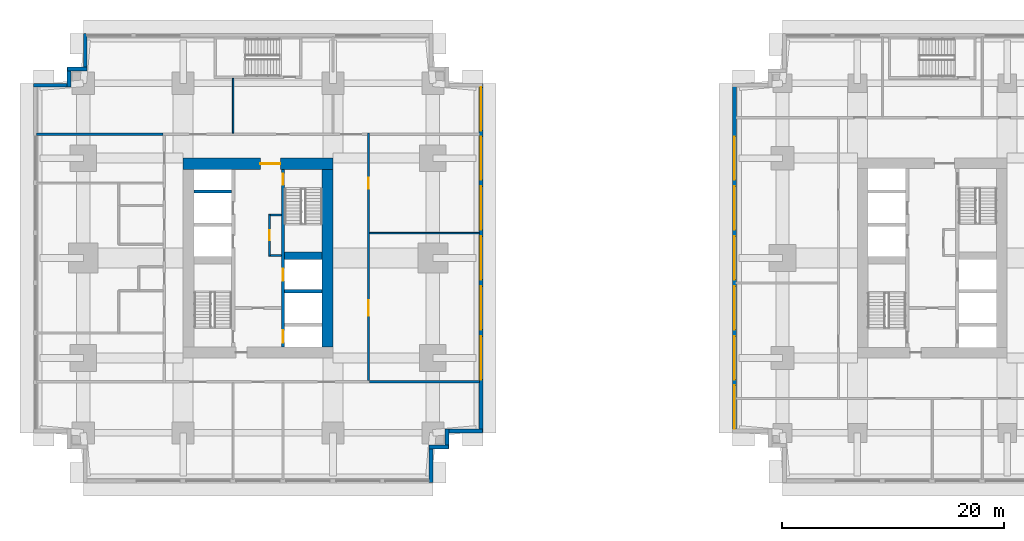
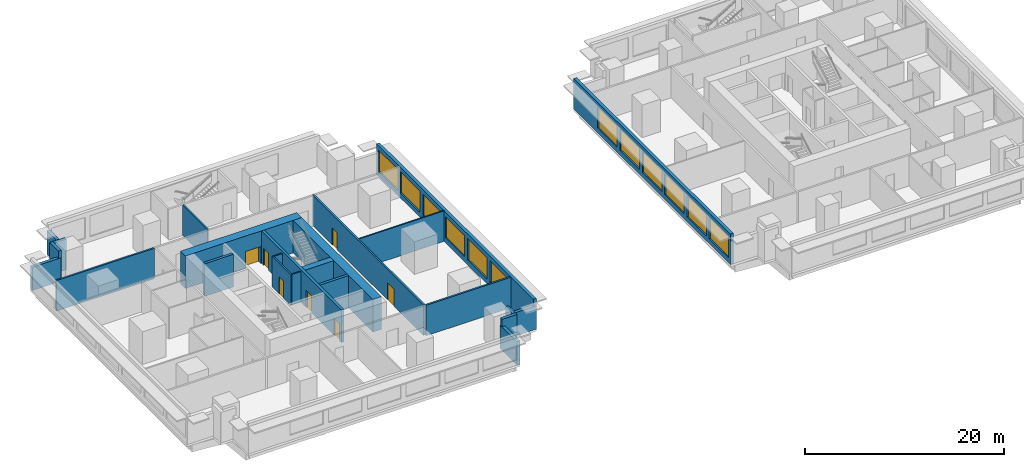
# One storey, part 4 of 11: 24 walls, 12 windows, 7 doors, 19 openings.
"""IFC4 building model written with IfcOpenShell, lengths in metres."""

import ifcopenshell
import ifcopenshell.guid

model = None  # the IFC model being written
_history = None  # IfcOwnerHistory: only IFC2X3 demands one
_inside = {}  # id of a spatial element -> (the spatial element, [elements in it])
_under = {}  # id of a project, library or spatial element -> (it, [spatial elements below it])
_declared = {}  # id of a project -> (the project, [libraries it declares])
_typed = {}  # id of a type object -> (the type object, [elements of that type])
_made_of = {}  # id of a material, layer set ... -> (it, [elements and type objects made of it])


def new_model(schema):
    """Start an empty IFC model of exactly this schema.

    Asked for "IFC4X3", IfcOpenShell would pick the latest addendum, in which some entities
    have other attributes; the version numbers below select the first issue.
    IFC2X3 requires an IfcOwnerHistory on every rooted entity: one is made here for all.
    """
    global model, _history
    if schema == "IFC4X3":
        model = ifcopenshell.file(schema_version=(4, 3, 0, 0))
    else:
        model = ifcopenshell.file(schema=schema)
    _inside.clear()
    _under.clear()
    _declared.clear()
    _typed.clear()
    _made_of.clear()
    _history = None
    if model.schema == "IFC2X3":
        org = make("IfcOrganization", Name="unknown")
        user = make(
            "IfcPersonAndOrganization",
            ThePerson=make("IfcPerson", FamilyName="unknown"),
            TheOrganization=org,
        )
        app = make(
            "IfcApplication",
            ApplicationDeveloper=org,
            Version="unknown",
            ApplicationFullName="unknown",
            ApplicationIdentifier="unknown",
        )
        _history = make(
            "IfcOwnerHistory",
            OwningUser=user,
            OwningApplication=app,
            ChangeAction="ADDED",
            CreationDate=0,
        )
    return model


def make(cls, **values):
    """One entity of the class cls with the attributes given. An attribute that is None is left unset."""
    return model.create_entity(
        cls, **{name: value for name, value in values.items() if value is not None}
    )


def rooted(cls, **values):
    """An entity with a GlobalId (a new one), such as an element, a storey or a relation."""
    return make(cls, GlobalId=ifcopenshell.guid.new(), OwnerHistory=_history, **values)


def si_unit(unit_type, name, prefix=None):
    """IfcSIUnit, for example si_unit("LENGTHUNIT", "METRE", prefix="MILLI")."""
    return make("IfcSIUnit", UnitType=unit_type, Prefix=prefix, Name=name)


def assignment(units):
    """IfcUnitAssignment: the units of a project."""
    return None if units is None else make("IfcUnitAssignment", Units=units)


def point(xyz):
    """IfcCartesianPoint."""
    return None if xyz is None else make("IfcCartesianPoint", Coordinates=xyz)


def direction(xyz):
    """IfcDirection."""
    return None if xyz is None else make("IfcDirection", DirectionRatios=xyz)


def frame(location, z_axis=None, x_axis=None):
    """IfcAxis2Placement3D, a coordinate frame: its origin and axes. An axis left out is left unset."""
    return make(
        "IfcAxis2Placement3D",
        Location=point(location),
        Axis=direction(z_axis),
        RefDirection=direction(x_axis),
    )


def frame_2d(location, x_axis=None):
    """IfcAxis2Placement2D, a coordinate frame in the plane: its origin and x axis."""
    return make(
        "IfcAxis2Placement2D", Location=point(location), RefDirection=direction(x_axis)
    )


def origin():
    """The frame at (0, 0, 0) with its axes left unset."""
    return frame((0.0, 0.0, 0.0))


def place(relative_to, where):
    """IfcLocalPlacement: puts the frame where relative to a parent placement (None: the world)."""
    return make(
        "IfcLocalPlacement", PlacementRelTo=relative_to, RelativePlacement=where
    )


def context(
    kind, dimensions, precision=None, world=None, true_north=None, identifier=None
):
    """IfcGeometricRepresentationContext, for example the 3D "Model" context."""
    return make(
        "IfcGeometricRepresentationContext",
        ContextIdentifier=identifier,
        ContextType=kind,
        CoordinateSpaceDimension=dimensions,
        Precision=precision,
        WorldCoordinateSystem=world,
        TrueNorth=true_north,
    )


def subcontext(parent, identifier, kind, view, scale=None):
    """IfcGeometricRepresentationSubContext, for example "Body" below "Model"."""
    return make(
        "IfcGeometricRepresentationSubContext",
        ContextIdentifier=identifier,
        ContextType=kind,
        ParentContext=parent,
        TargetScale=scale,
        TargetView=view,
    )


def project(units=None, contexts=None):
    """IfcProject with its units and contexts."""
    return rooted(
        "IfcProject",
        Name="project",
        RepresentationContexts=contexts,
        UnitsInContext=assignment(units),
    )


def spatial(cls, under=None, at=None, **own):
    """A site, building, storey or space (cls), placed at a placement, below another one or the project."""
    s = rooted(cls, ObjectPlacement=at, **own)
    if under is not None:
        _under.setdefault(under.id(), (under, []))[1].append(s)
    return s


def profile(cls, at=None, kind="AREA", **sizes):
    """A parametric profile (cls). Its sizes go by their IFC names, for example OverallWidth=200.0."""
    return make(cls, ProfileType=kind, Position=at, **sizes)


def rectangle(**sizes):
    """IfcRectangleProfileDef."""
    return profile("IfcRectangleProfileDef", **sizes)


def extrude(swept, where, along, depth):
    """IfcExtrudedAreaSolid: the profile swept, set in the frame where, extruded along a direction by depth."""
    return make(
        "IfcExtrudedAreaSolid",
        SweptArea=swept,
        Position=where,
        ExtrudedDirection=direction(along),
        Depth=depth,
    )


def shape(context_of_items, identifier, shape_type, items):
    """IfcShapeRepresentation: the items that make up one representation, for example the "Body"."""
    return make(
        "IfcShapeRepresentation",
        ContextOfItems=context_of_items,
        RepresentationIdentifier=identifier,
        RepresentationType=shape_type,
        Items=items,
    )


def material(Name=None, Category=None):
    """IfcMaterial."""
    return make("IfcMaterial", Name=Name, Category=Category)


def layer(
    of_material, thickness, ventilated=None, Name=None, Category=None, Priority=None
):
    """IfcMaterialLayer: one layer of a wall or slab, of a material (None: an air gap)."""
    return make(
        "IfcMaterialLayer",
        Material=of_material,
        LayerThickness=thickness,
        IsVentilated=ventilated,
        Name=Name,
        Category=Category,
        Priority=Priority,
    )


def layer_set(layers, Name=None):
    """IfcMaterialLayerSet."""
    return make("IfcMaterialLayerSet", MaterialLayers=layers, LayerSetName=Name)


def made_of(thing, what):
    """Note that an element or type object is made of a material, layer set ...; save() writes the relation."""
    if what is not None:
        _made_of.setdefault(what.id(), (what, []))[1].append(thing)
    return thing


def type_object(cls, material=None, **own):
    """A type object (cls), such as IfcWallType, which elements share."""
    return made_of(rooted(cls, **own), material)


def element(
    cls,
    number,
    at=None,
    inside=None,
    cuts=None,
    type_object=None,
    material=None,
    context=None,
    identifier="Body",
    shape_type=None,
    held_by="IfcProductDefinitionShape",
    body=None,
    shapes=None,
    **own,
):
    """One element of the class cls, such as IfcWall. Its Tag is "e" and its number.

    at: its placement. inside: the storey or other place that contains it. cuts: it is an
    opening in that element (IfcRelVoidsElement). A single representation is given by context,
    identifier, shape_type and body (its items); several are given by shapes. held_by: the class
    of the entity that holds the representations. save() writes the other relations.
    """
    e = rooted(cls, Tag="e%d" % number, ObjectPlacement=at, **own)
    if body is not None:
        shapes = [shape(context, identifier, shape_type, body)]
    if shapes is not None:
        e.Representation = make(held_by, Representations=shapes)
    if inside is not None:
        _inside.setdefault(inside.id(), (inside, []))[1].append(e)
    if cuts is not None:
        rooted(
            "IfcRelVoidsElement", RelatingBuildingElement=cuts, RelatedOpeningElement=e
        )
    if type_object is not None:
        _typed.setdefault(type_object.id(), (type_object, []))[1].append(e)
    return made_of(e, material)


def fill(opening, filler):
    """IfcRelFillsElement: the door or window that sits in an opening."""
    return rooted(
        "IfcRelFillsElement",
        RelatingOpeningElement=opening,
        RelatedBuildingElement=filler,
    )


def aggregate(whole, parts):
    """IfcRelAggregates: a whole, such as a stair, and the parts it consists of."""
    return rooted("IfcRelAggregates", RelatingObject=whole, RelatedObjects=parts)


def save(model, path):
    """Write the relations noted so far, then the file.

    IfcRelAggregates (storeys below a building ...), IfcRelContainedInSpatialStructure (elements
    in a storey), IfcRelDefinesByType, IfcRelAssociatesMaterial and IfcRelDeclares: one each for
    every whole, place, type object, material and project.
    """
    for whole, parts in _under.values():
        aggregate(whole, parts)
    for where, things in _inside.values():
        rooted(
            "IfcRelContainedInSpatialStructure",
            RelatedElements=things,
            RelatingStructure=where,
        )
    for kind, things in _typed.values():
        rooted("IfcRelDefinesByType", RelatedObjects=things, RelatingType=kind)
    for what, things in _made_of.values():
        rooted("IfcRelAssociatesMaterial", RelatedObjects=things, RelatingMaterial=what)
    for by, libraries in _declared.values():
        rooted("IfcRelDeclares", RelatingContext=by, RelatedDefinitions=libraries)
    model.write(path)


model = new_model("IFC4")

# Units and contexts
model_context = context("Model", 3, precision=1e-05, world=origin(), true_north=direction((0.0, 1.0)))
body_context = subcontext(model_context, "Body", "Model", "MODEL_VIEW")
ifc_project = project(units=[si_unit("LENGTHUNIT", "METRE"), si_unit("AREAUNIT", "SQUARE_METRE"), si_unit("VOLUMEUNIT", "CUBIC_METRE"), si_unit("PLANEANGLEUNIT", "RADIAN"), si_unit("MASSUNIT", "GRAM", prefix="KILO")], contexts=[model_context])

# Site, building, storey
site_placement = place(None, origin())
site = spatial("IfcSite", under=ifc_project, at=site_placement, CompositionType="ELEMENT")
building_placement = place(site_placement, origin())
building = spatial("IfcBuilding", under=site, at=building_placement, Name="Namib Vertical Campus", CompositionType="ELEMENT")
storey_placement = place(building_placement, frame((0.0, 0.0, 69.0)))
storey = spatial("IfcBuildingStorey", under=building, at=storey_placement, Name="L16", CompositionType="ELEMENT", Elevation=69.0)

# Wall, openings, doors
ifc_material_1 = material(Name="Concrete C60/75", Category="concrete")
ifc_layer_1 = layer(ifc_material_1, 0.300048828125)
ifc_layer_set_1 = layer_set([ifc_layer_1], Name="Concrete C60/75")
wall_type_1 = type_object("IfcWallType", Name="Core inner wall 300", PredefinedType="SHEAR", material=ifc_layer_set_1)
wall_1_placement = place(storey_placement, frame((22.5, 12.25, 0.0), z_axis=(0.0, 0.0, 1.0), x_axis=(0.0, 1.0, 0.0)))
wall_1 = element("IfcWall", 1, at=wall_1_placement, inside=storey, type_object=wall_type_1, Name="Core inner wall A L16 W2", PredefinedType="SHEAR", context=body_context, shape_type="SweptSolid", body=[
    extrude(rectangle(XDim=16.0, YDim=0.300048828125, at=frame_2d((8.0, 0.0))), origin(), (0.0, 0.0, 1.0), 4.0),
])
opening_1_placement = place(wall_1_placement, frame((14.60009765625, 0.0, 0.0)))
opening_1 = element("IfcOpeningElement", 2, at=opening_1_placement, cuts=wall_1, Name="Opening FD1", PredefinedType="OPENING", context=body_context, shape_type="SweptSolid", body=[
    extrude(rectangle(XDim=1.0, YDim=2.10009765625, at=frame_2d((0.5, 1.050048828125))), frame((0.0, 0.159912109375, 0.0), z_axis=(0.0, -1.0, 0.0), x_axis=(1.0, 0.0, 0.0)), (0.0, 0.0, 1.0), 0.320068359375),
])
opening_2_placement = place(wall_1_placement, frame((0.375, 0.0, 0.0)))
opening_2 = element("IfcOpeningElement", 3, at=opening_2_placement, cuts=wall_1, Name="Opening LD1", PredefinedType="OPENING", context=body_context, shape_type="SweptSolid", body=[
    extrude(rectangle(XDim=1.10009765625, YDim=2.10009765625, at=frame_2d((0.550048828125, 1.050048828125))), frame((0.0, 0.159912109375, 0.0), z_axis=(0.0, -1.0, 0.0), x_axis=(1.0, 0.0, 0.0)), (0.0, 0.0, 1.0), 0.320068359375),
])
opening_3_placement = place(wall_1_placement, frame((5.949951171875, 0.0, 0.0)))
opening_3 = element("IfcOpeningElement", 4, at=opening_3_placement, cuts=wall_1, Name="Opening LD1", PredefinedType="OPENING", context=body_context, shape_type="SweptSolid", body=[
    extrude(rectangle(XDim=1.10009765625, YDim=2.10009765625, at=frame_2d((0.550048828125, 1.050048828125))), frame((0.0, 0.159912109375, 0.0), z_axis=(0.0, -1.0, 0.0), x_axis=(1.0, 0.0, 0.0)), (0.0, 0.0, 1.0), 0.320068359375),
])
ifc_material_2 = material(Name="Steel fire door", Category="steel")
door_type_1 = type_object("IfcDoorType", Name="Fire door 1000x2100", OperationType="SINGLE_SWING_RIGHT", PredefinedType="DOOR", material=ifc_material_2)
door_1_placement = place(opening_1_placement, frame((1.0, 0.0, 0.0), z_axis=(0.0, 0.0, 1.0), x_axis=(-1.0, 0.0, 0.0)))
door_1 = element("IfcDoor", 5, at=door_1_placement, inside=storey, type_object=door_type_1, Name="Stair door FD1 A L16 S2", OperationType="SINGLE_SWING_LEFT", OverallHeight=2.10009765625, OverallWidth=1.0, PredefinedType="DOOR", context=body_context, shape_type="SweptSolid", body=[
    extrude(rectangle(XDim=1.0, YDim=2.10009765625, at=frame_2d((0.5, 1.050048828125))), frame((0.0, 0.02490234375, 0.0), z_axis=(0.0, -1.0, 0.0), x_axis=(1.0, 0.0, 0.0)), (0.0, 0.0, 1.0), 0.050048828125),
])
fill(opening_1, door_1)
ifc_material_3 = material(Name="Stainless steel lift door", Category="steel")
door_type_2 = type_object("IfcDoorType", Name="Lift landing door 1100x2100", OperationType="DOUBLE_DOOR_SLIDING", PredefinedType="DOOR", material=ifc_material_3)
door_2_placement = place(opening_2_placement, origin())
door_2 = element("IfcDoor", 6, at=door_2_placement, inside=storey, type_object=door_type_2, Name="Lift landing door LD1 A-FL1 L16", OperationType="DOUBLE_DOOR_SLIDING", OverallHeight=2.10009765625, OverallWidth=1.10009765625, PredefinedType="DOOR", context=body_context, shape_type="SweptSolid", body=[
    extrude(rectangle(XDim=1.10009765625, YDim=2.10009765625, at=frame_2d((0.550048828125, 1.050048828125))), frame((0.0, 0.02490234375, 0.0), z_axis=(0.0, -1.0, 0.0), x_axis=(1.0, 0.0, 0.0)), (0.0, 0.0, 1.0), 0.050048828125),
])
fill(opening_2, door_2)
door_3_placement = place(opening_3_placement, origin())
door_3 = element("IfcDoor", 7, at=door_3_placement, inside=storey, type_object=door_type_2, Name="Lift landing door LD1 A-P5 L16", OperationType="DOUBLE_DOOR_SLIDING", OverallHeight=2.10009765625, OverallWidth=1.10009765625, PredefinedType="DOOR", context=body_context, shape_type="SweptSolid", body=[
    extrude(rectangle(XDim=1.10009765625, YDim=2.10009765625, at=frame_2d((0.550048828125, 1.050048828125))), frame((0.0, 0.02490234375, 0.0), z_axis=(0.0, -1.0, 0.0), x_axis=(1.0, 0.0, 0.0)), (0.0, 0.0, 1.0), 0.050048828125),
])
fill(opening_3, door_3)

# Walls
for number, where, z_axis, x_axis, name in (
    (8, (22.64990234375, 17.25, 0.0), (0.0, 0.0, 1.0), (1.0, 0.0, 0.0), "Core inner wall A L16 W6"),
    (9, (14.5, 26.25, 0.0), (0.0, 0.0, 1.0), (1.0, 0.0, 0.0), "Core inner wall A L16 W9"),
):
    element("IfcWall", number, at=place(storey_placement, frame(where, z_axis=z_axis, x_axis=x_axis)), inside=storey, type_object=wall_type_1, Name=name, PredefinedType="SHEAR", context=body_context, shape_type="SweptSolid", body=[
        extrude(rectangle(XDim=3.35009765625, YDim=0.300048828125, at=frame_2d((1.675048828125, 0.0))), origin(), (0.0, 0.0, 1.0), 4.0),
    ])
ifc_material_4 = material(Name="Concrete C60/75", Category="concrete")
ifc_layer_2 = layer(ifc_material_4, 0.699951171875)
ifc_layer_set_2 = layer_set([ifc_layer_2], Name="Concrete C60/75")
wall_type_2 = type_object("IfcWallType", Name="Core shear wall 700", PredefinedType="SHEAR", material=ifc_layer_set_2)
wall_2_placement = place(storey_placement, frame((22.64990234375, 20.449951171875, 0.0), z_axis=(0.0, 0.0, 1.0), x_axis=(1.0, 0.0, 0.0)))
element("IfcWall", 10, at=wall_2_placement, inside=storey, type_object=wall_type_2, Name="Core shear wall A L16 W7", PredefinedType="SHEAR", context=body_context, shape_type="SweptSolid", body=[
    extrude(rectangle(XDim=3.35009765625, YDim=0.699951171875, at=frame_2d((1.675048828125, 0.0))), origin(), (0.0, 0.0, 1.0), 4.0),
])
ifc_material_5 = material(Name="Concrete C60/75", Category="concrete")
ifc_layer_3 = layer(ifc_material_5, 1.0)
ifc_layer_set_3 = layer_set([ifc_layer_3], Name="Concrete C60/75")
wall_type_3 = type_object("IfcWallType", Name="Core wall 1000", PredefinedType="SHEAR", material=ifc_layer_set_3)
wall_3_placement = place(storey_placement, frame((26.5, 12.25, 0.0), z_axis=(0.0, 0.0, 1.0), x_axis=(0.0, 1.0, 0.0)))
element("IfcWall", 11, at=wall_3_placement, inside=storey, type_object=wall_type_3, Name="Core wall A L16 2", PredefinedType="SHEAR", context=body_context, shape_type="SweptSolid", body=[
    extrude(rectangle(XDim=16.0, YDim=1.0, at=frame_2d((8.0, 0.0))), origin(), (0.0, 0.0, 1.0), 4.0),
])

# Wall, opening, door
wall_4_placement = place(storey_placement, frame((27.0, 28.75, 0.0), z_axis=(0.0, 0.0, 1.0), x_axis=(-1.0, 0.0, 0.0)))
wall_4 = element("IfcWall", 12, at=wall_4_placement, inside=storey, type_object=wall_type_3, Name="Core wall A L16 3", PredefinedType="SHEAR", context=body_context, shape_type="SweptSolid", body=[
    extrude(rectangle(XDim=13.5, YDim=1.0, at=frame_2d((6.75, 0.0))), origin(), (0.0, 0.0, 1.0), 4.0),
])
opening_4_placement = place(wall_4_placement, frame((4.75, 0.0, 0.0)))
opening_4 = element("IfcOpeningElement", 13, at=opening_4_placement, cuts=wall_4, Name="Opening FD2", PredefinedType="OPENING", context=body_context, shape_type="SweptSolid", body=[
    extrude(rectangle(XDim=1.800048828125, YDim=2.10009765625, at=frame_2d((0.89990234375, 1.050048828125))), frame((0.0, 0.510009765625, 0.0), z_axis=(0.0, -1.0, 0.0), x_axis=(1.0, 0.0, 0.0)), (0.0, 0.0, 1.0), 1.02001953125),
])
ifc_material_6 = material(Name="Steel fire door", Category="steel")
door_type_3 = type_object("IfcDoorType", Name="Fire door double 1800x2100", OperationType="DOUBLE_DOOR_SINGLE_SWING", PredefinedType="DOOR", material=ifc_material_6)
door_4_placement = place(opening_4_placement, origin())
door_4 = element("IfcDoor", 14, at=door_4_placement, inside=storey, type_object=door_type_3, Name="Lift lobby door FD2 A L16", OperationType="DOUBLE_DOOR_SINGLE_SWING", OverallHeight=2.10009765625, OverallWidth=1.800048828125, PredefinedType="DOOR", context=body_context, shape_type="SweptSolid", body=[
    extrude(rectangle(XDim=1.800048828125, YDim=2.10009765625, at=frame_2d((0.89990234375, 1.050048828125))), frame((0.0, 0.02490234375, 0.0), z_axis=(0.0, -1.0, 0.0), x_axis=(1.0, 0.0, 0.0)), (0.0, 0.0, 1.0), 0.050048828125),
])
fill(opening_4, door_4)

# Wall, openings, doors
ifc_material_7 = material(Name="Concrete masonry", Category="masonry")
ifc_layer_4 = layer(ifc_material_7, 0.199951171875)
ifc_layer_set_4 = layer_set([ifc_layer_4], Name="Corridor wall 200")
wall_type_4 = type_object("IfcWallType", Name="Corridor wall 200", PredefinedType="SOLIDWALL", material=ifc_layer_set_4)
wall_5_placement = place(storey_placement, frame((30.199951171875, 9.199951171875, 0.0), z_axis=(0.0, 0.0, 1.0), x_axis=(0.0, 1.0, 0.0)))
wall_5 = element("IfcWall", 15, at=wall_5_placement, inside=storey, type_object=wall_type_4, Name="Corridor wall A L16 CE", PredefinedType="SOLIDWALL", context=body_context, shape_type="SweptSolid", body=[
    extrude(rectangle(XDim=22.300048828125, YDim=0.199951171875, at=frame_2d((11.14990234375, 0.0))), origin(), (0.0, 0.0, 1.0), 3.75),
])
opening_5_placement = place(wall_5_placement, frame((5.85009765625, 0.0, 0.0)))
opening_5 = element("IfcOpeningElement", 16, at=opening_5_placement, cuts=wall_5, Name="Opening LB1", PredefinedType="OPENING", context=body_context, shape_type="SweptSolid", body=[
    extrude(rectangle(XDim=1.39990234375, YDim=2.10009765625, at=frame_2d((0.699951171875, 1.050048828125))), frame((0.0, 0.10986328125, 0.0), z_axis=(0.0, -1.0, 0.0), x_axis=(1.0, 0.0, 0.0)), (0.0, 0.0, 1.0), 0.219970703125),
])
opening_6_placement = place(wall_5_placement, frame((17.300048828125, 0.0, 0.0)))
opening_6 = element("IfcOpeningElement", 17, at=opening_6_placement, cuts=wall_5, Name="Opening CD1", PredefinedType="OPENING", context=body_context, shape_type="SweptSolid", body=[
    extrude(rectangle(XDim=1.0, YDim=2.10009765625, at=frame_2d((0.5, 1.050048828125))), frame((0.0, 0.10986328125, 0.0), z_axis=(0.0, -1.0, 0.0), x_axis=(1.0, 0.0, 0.0)), (0.0, 0.0, 1.0), 0.219970703125),
])
ifc_material_8 = material(Name="Timber fire door leaf", Category="wood")
door_type_4 = type_object("IfcDoorType", Name="Corridor door 1000x2100 20 min", OperationType="SINGLE_SWING_LEFT", PredefinedType="DOOR", material=ifc_material_8)
door_5_placement = place(opening_6_placement, frame((1.0, 0.0, 0.0), z_axis=(0.0, 0.0, 1.0), x_axis=(-1.0, 0.0, 0.0)))
door_5 = element("IfcDoor", 18, at=door_5_placement, inside=storey, type_object=door_type_4, Name="Door CD1 A16-05", OperationType="SINGLE_SWING_RIGHT", OverallHeight=2.10009765625, OverallWidth=1.0, PredefinedType="DOOR", context=body_context, shape_type="SweptSolid", body=[
    extrude(rectangle(XDim=1.0, YDim=2.10009765625, at=frame_2d((0.5, 1.050048828125))), frame((0.0, 0.02490234375, 0.0), z_axis=(0.0, -1.0, 0.0), x_axis=(1.0, 0.0, 0.0)), (0.0, 0.0, 1.0), 0.050048828125),
])
fill(opening_6, door_5)
ifc_material_9 = material(Name="Timber fire door leaf", Category="wood")
door_type_5 = type_object("IfcDoorType", Name="Laboratory door 1400x2100 leaf and a half", OperationType="DOUBLE_DOOR_SINGLE_SWING", PredefinedType="DOOR", material=ifc_material_9)
door_6_placement = place(opening_5_placement, frame((1.39990234375, 0.0, 0.0), z_axis=(0.0, 0.0, 1.0), x_axis=(-1.0, 0.0, 0.0)))
door_6 = element("IfcDoor", 19, at=door_6_placement, inside=storey, type_object=door_type_5, Name="Door LB1 A16-04", OperationType="DOUBLE_DOOR_SINGLE_SWING", OverallHeight=2.10009765625, OverallWidth=1.39990234375, PredefinedType="DOOR", context=body_context, shape_type="SweptSolid", body=[
    extrude(rectangle(XDim=1.39990234375, YDim=2.10009765625, at=frame_2d((0.699951171875, 1.050048828125))), frame((0.0, 0.02490234375, 0.0), z_axis=(0.0, -1.0, 0.0), x_axis=(1.0, 0.0, 0.0)), (0.0, 0.0, 1.0), 0.050048828125),
])
fill(opening_5, door_6)

# Walls
wall_6_placement = place(storey_placement, frame((30.300048828125, 9.10009765625, 0.0), z_axis=(0.0, 0.0, 1.0), x_axis=(1.0, 0.0, 0.0)))
element("IfcWall", 20, at=wall_6_placement, inside=storey, type_object=wall_type_4, Name="Partition A L16 BSE", PredefinedType="SOLIDWALL", context=body_context, shape_type="SweptSolid", body=[
    extrude(rectangle(XDim=9.89990234375, YDim=0.199951171875, at=frame_2d((4.949951171875, 0.0))), origin(), (0.0, 0.0, 1.0), 3.75),
])
wall_7_placement = place(storey_placement, frame((0.300048828125, 31.39990234375, 0.0), z_axis=(0.0, 0.0, 1.0), x_axis=(1.0, 0.0, 0.0)))
element("IfcWall", 21, at=wall_7_placement, inside=storey, type_object=wall_type_4, Name="Partition A L16 BNW", PredefinedType="SOLIDWALL", context=body_context, shape_type="SweptSolid", body=[
    extrude(rectangle(XDim=11.39990234375, YDim=0.199951171875, at=frame_2d((5.699951171875, 0.0))), origin(), (0.0, 0.0, 1.0), 3.75),
])
ifc_material_10 = material(Name="Concrete C40/50", Category="concrete")
ifc_layer_5 = layer(ifc_material_10, 0.35009765625)
ifc_layer_set_5 = layer_set([ifc_layer_5], Name="Concrete C40/50")
wall_type_5 = type_object("IfcWallType", Name="External wall 350 bush-hammered concrete", PredefinedType="STANDARD", material=ifc_layer_set_5)
wall_8_placement = place(storey_placement, frame((35.824951171875, 0.02001953125, 0.0), z_axis=(0.0, 0.0, 1.0), x_axis=(0.0, 1.0, 0.0)))
element("IfcWall", 22, at=wall_8_placement, inside=storey, type_object=wall_type_5, Name="External wall L16 F02", PredefinedType="STANDARD", context=body_context, shape_type="SweptSolid", body=[
    extrude(rectangle(XDim=3.35986328125, YDim=0.35009765625, at=frame_2d((1.679931640625, 0.0))), origin(), (0.0, 0.0, 1.0), 2.85009765625),
])
for number, where, z_axis, x_axis, name in (
    (23, (35.669921875, 3.22509765625, 0.0), (0.0, 0.0, 1.0), (1.0, 0.0, 0.0), "External wall L16 F03"),
    (24, (37.27490234375, 3.070068359375, 0.0), (0.0, 0.0, 1.0), (0.0, 1.0, 0.0), "External wall L16 F04"),
):
    element("IfcWall", number, at=place(storey_placement, frame(where, z_axis=z_axis, x_axis=x_axis)), inside=storey, type_object=wall_type_5, Name=name, PredefinedType="STANDARD", context=body_context, shape_type="SweptSolid", body=[
        extrude(rectangle(XDim=1.760009765625, YDim=0.35009765625, at=frame_2d((0.8798828125, 0.0))), origin(), (0.0, 0.0, 1.0), 3.75),
    ])
wall_9_placement = place(storey_placement, frame((37.1201171875, 4.675048828125, 0.0), z_axis=(0.0, 0.0, 1.0), x_axis=(1.0, 0.0, 0.0)))
element("IfcWall", 25, at=wall_9_placement, inside=storey, type_object=wall_type_5, Name="External wall L16 F05", PredefinedType="STANDARD", context=body_context, shape_type="SweptSolid", body=[
    extrude(rectangle(XDim=3.35986328125, YDim=0.35009765625, at=frame_2d((1.679931640625, 0.0))), origin(), (0.0, 0.0, 1.0), 2.85009765625),
])

# Wall, openings, windows
wall_10_placement = place(storey_placement, frame((40.324951171875, 4.52001953125, 0.0), z_axis=(0.0, 0.0, 1.0), x_axis=(0.0, 1.0, 0.0)))
wall_10 = element("IfcWall", 26, at=wall_10_placement, inside=storey, type_object=wall_type_5, Name="External wall L16 F06", PredefinedType="STANDARD", context=body_context, shape_type="SweptSolid", body=[
    extrude(rectangle(XDim=31.4599609375, YDim=0.35009765625, at=frame_2d((15.72998046875, 0.0))), origin(), (0.0, 0.0, 1.0), 3.75),
])
opening_7_placement = place(wall_10_placement, frame((4.780029296875, 0.0, 0.60009765625)))
opening_7 = element("IfcOpeningElement", 27, at=opening_7_placement, cuts=wall_10, Name="Opening W2", PredefinedType="OPENING", context=body_context, shape_type="SweptSolid", body=[
    extrude(rectangle(XDim=3.89990234375, YDim=2.60009765625, at=frame_2d((1.949951171875, 1.300048828125))), frame((0.0, 0.18505859375, 0.0), z_axis=(0.0, -1.0, 0.0), x_axis=(1.0, 0.0, 0.0)), (0.0, 0.0, 1.0), 0.3701171875),
])
opening_8_placement = place(wall_10_placement, frame((9.280029296875, 0.0, 0.60009765625)))
opening_8 = element("IfcOpeningElement", 28, at=opening_8_placement, cuts=wall_10, Name="Opening W2", PredefinedType="OPENING", context=body_context, shape_type="SweptSolid", body=[
    extrude(rectangle(XDim=3.89990234375, YDim=2.60009765625, at=frame_2d((1.949951171875, 1.300048828125))), frame((0.0, 0.18505859375, 0.0), z_axis=(0.0, -1.0, 0.0), x_axis=(1.0, 0.0, 0.0)), (0.0, 0.0, 1.0), 0.3701171875),
])
opening_9_placement = place(wall_10_placement, frame((13.780029296875, 0.0, 0.60009765625)))
opening_9 = element("IfcOpeningElement", 29, at=opening_9_placement, cuts=wall_10, Name="Opening W2", PredefinedType="OPENING", context=body_context, shape_type="SweptSolid", body=[
    extrude(rectangle(XDim=3.89990234375, YDim=2.60009765625, at=frame_2d((1.949951171875, 1.300048828125))), frame((0.0, 0.18505859375, 0.0), z_axis=(0.0, -1.0, 0.0), x_axis=(1.0, 0.0, 0.0)), (0.0, 0.0, 1.0), 0.3701171875),
])
opening_10_placement = place(wall_10_placement, frame((18.280029296875, 0.0, 0.60009765625)))
opening_10 = element("IfcOpeningElement", 30, at=opening_10_placement, cuts=wall_10, Name="Opening W2", PredefinedType="OPENING", context=body_context, shape_type="SweptSolid", body=[
    extrude(rectangle(XDim=3.89990234375, YDim=2.60009765625, at=frame_2d((1.949951171875, 1.300048828125))), frame((0.0, 0.18505859375, 0.0), z_axis=(0.0, -1.0, 0.0), x_axis=(1.0, 0.0, 0.0)), (0.0, 0.0, 1.0), 0.3701171875),
])
opening_11_placement = place(wall_10_placement, frame((22.780029296875, 0.0, 0.60009765625)))
opening_11 = element("IfcOpeningElement", 31, at=opening_11_placement, cuts=wall_10, Name="Opening W2", PredefinedType="OPENING", context=body_context, shape_type="SweptSolid", body=[
    extrude(rectangle(XDim=3.89990234375, YDim=2.60009765625, at=frame_2d((1.949951171875, 1.300048828125))), frame((0.0, 0.18505859375, 0.0), z_axis=(0.0, -1.0, 0.0), x_axis=(1.0, 0.0, 0.0)), (0.0, 0.0, 1.0), 0.3701171875),
])
opening_12_placement = place(wall_10_placement, frame((27.2099609375, 0.0, 0.60009765625)))
opening_12 = element("IfcOpeningElement", 32, at=opening_12_placement, cuts=wall_10, Name="Opening W2", PredefinedType="OPENING", context=body_context, shape_type="SweptSolid", body=[
    extrude(rectangle(XDim=3.89990234375, YDim=2.60009765625, at=frame_2d((1.949951171875, 1.300048828125))), frame((0.0, 0.18505859375, 0.0), z_axis=(0.0, -1.0, 0.0), x_axis=(1.0, 0.0, 0.0)), (0.0, 0.0, 1.0), 0.3701171875),
])
ifc_material_11 = material(Name="Dark tinted glass in black aluminium frame", Category="aluminium")
window_type = type_object("IfcWindowType", Name="Ribbon window 3900x2600", PartitioningType="SINGLE_PANEL", PredefinedType="WINDOW", material=ifc_material_11)
window_1_placement = place(opening_7_placement, origin())
window_1 = element("IfcWindow", 33, at=window_1_placement, inside=storey, type_object=window_type, Name="Window W2 L16 F06-2", OverallHeight=2.60009765625, OverallWidth=3.89990234375, PartitioningType="SINGLE_PANEL", PredefinedType="WINDOW", context=body_context, shape_type="SweptSolid", body=[
    extrude(rectangle(XDim=3.89990234375, YDim=2.60009765625, at=frame_2d((1.949951171875, 1.300048828125))), frame((0.0, 0.030029296875, 0.0), z_axis=(0.0, -1.0, 0.0), x_axis=(1.0, 0.0, 0.0)), (0.0, 0.0, 1.0), 0.06005859375),
])
fill(opening_7, window_1)
window_2_placement = place(opening_8_placement, origin())
window_2 = element("IfcWindow", 34, at=window_2_placement, inside=storey, type_object=window_type, Name="Window W2 L16 F06-3", OverallHeight=2.60009765625, OverallWidth=3.89990234375, PartitioningType="SINGLE_PANEL", PredefinedType="WINDOW", context=body_context, shape_type="SweptSolid", body=[
    extrude(rectangle(XDim=3.89990234375, YDim=2.60009765625, at=frame_2d((1.949951171875, 1.300048828125))), frame((0.0, 0.030029296875, 0.0), z_axis=(0.0, -1.0, 0.0), x_axis=(1.0, 0.0, 0.0)), (0.0, 0.0, 1.0), 0.06005859375),
])
fill(opening_8, window_2)
window_3_placement = place(opening_9_placement, origin())
window_3 = element("IfcWindow", 35, at=window_3_placement, inside=storey, type_object=window_type, Name="Window W2 L16 F06-4", OverallHeight=2.60009765625, OverallWidth=3.89990234375, PartitioningType="SINGLE_PANEL", PredefinedType="WINDOW", context=body_context, shape_type="SweptSolid", body=[
    extrude(rectangle(XDim=3.89990234375, YDim=2.60009765625, at=frame_2d((1.949951171875, 1.300048828125))), frame((0.0, 0.030029296875, 0.0), z_axis=(0.0, -1.0, 0.0), x_axis=(1.0, 0.0, 0.0)), (0.0, 0.0, 1.0), 0.06005859375),
])
fill(opening_9, window_3)
window_4_placement = place(opening_10_placement, origin())
window_4 = element("IfcWindow", 36, at=window_4_placement, inside=storey, type_object=window_type, Name="Window W2 L16 F06-5", OverallHeight=2.60009765625, OverallWidth=3.89990234375, PartitioningType="SINGLE_PANEL", PredefinedType="WINDOW", context=body_context, shape_type="SweptSolid", body=[
    extrude(rectangle(XDim=3.89990234375, YDim=2.60009765625, at=frame_2d((1.949951171875, 1.300048828125))), frame((0.0, 0.030029296875, 0.0), z_axis=(0.0, -1.0, 0.0), x_axis=(1.0, 0.0, 0.0)), (0.0, 0.0, 1.0), 0.06005859375),
])
fill(opening_10, window_4)
window_5_placement = place(opening_11_placement, origin())
window_5 = element("IfcWindow", 37, at=window_5_placement, inside=storey, type_object=window_type, Name="Window W2 L16 F06-6", OverallHeight=2.60009765625, OverallWidth=3.89990234375, PartitioningType="SINGLE_PANEL", PredefinedType="WINDOW", context=body_context, shape_type="SweptSolid", body=[
    extrude(rectangle(XDim=3.89990234375, YDim=2.60009765625, at=frame_2d((1.949951171875, 1.300048828125))), frame((0.0, 0.030029296875, 0.0), z_axis=(0.0, -1.0, 0.0), x_axis=(1.0, 0.0, 0.0)), (0.0, 0.0, 1.0), 0.06005859375),
])
fill(opening_11, window_5)
window_6_placement = place(opening_12_placement, origin())
window_6 = element("IfcWindow", 38, at=window_6_placement, inside=storey, type_object=window_type, Name="Window W2 L16 F06-7", OverallHeight=2.60009765625, OverallWidth=3.89990234375, PartitioningType="SINGLE_PANEL", PredefinedType="WINDOW", context=body_context, shape_type="SweptSolid", body=[
    extrude(rectangle(XDim=3.89990234375, YDim=2.60009765625, at=frame_2d((1.949951171875, 1.300048828125))), frame((0.0, 0.030029296875, 0.0), z_axis=(0.0, -1.0, 0.0), x_axis=(1.0, 0.0, 0.0)), (0.0, 0.0, 1.0), 0.06005859375),
])
fill(opening_12, window_6)

# Walls
wall_11_placement = place(storey_placement, frame((4.675048828125, 40.47998046875, 0.0), z_axis=(0.0, 0.0, 1.0), x_axis=(0.0, -1.0, 0.0)))
element("IfcWall", 39, at=wall_11_placement, inside=storey, type_object=wall_type_5, Name="External wall L16 F12", PredefinedType="STANDARD", context=body_context, shape_type="SweptSolid", body=[
    extrude(rectangle(XDim=3.35986328125, YDim=0.35009765625, at=frame_2d((1.679931640625, 0.0))), origin(), (0.0, 0.0, 1.0), 2.85009765625),
])
for number, where, z_axis, x_axis, name in (
    (40, (4.830078125, 37.27490234375, 0.0), (0.0, 0.0, 1.0), (-1.0, 0.0, 0.0), "External wall L16 F13"),
    (41, (3.22509765625, 37.429931640625, 0.0), (0.0, 0.0, 1.0), (0.0, -1.0, 0.0), "External wall L16 F14"),
):
    element("IfcWall", number, at=place(storey_placement, frame(where, z_axis=z_axis, x_axis=x_axis)), inside=storey, type_object=wall_type_5, Name=name, PredefinedType="STANDARD", context=body_context, shape_type="SweptSolid", body=[
        extrude(rectangle(XDim=1.760009765625, YDim=0.35009765625, at=frame_2d((0.8798828125, 0.0))), origin(), (0.0, 0.0, 1.0), 3.75),
    ])
wall_12_placement = place(storey_placement, frame((3.3798828125, 35.824951171875, 0.0), z_axis=(0.0, 0.0, 1.0), x_axis=(-1.0, 0.0, 0.0)))
element("IfcWall", 42, at=wall_12_placement, inside=storey, type_object=wall_type_5, Name="External wall L16 F15", PredefinedType="STANDARD", context=body_context, shape_type="SweptSolid", body=[
    extrude(rectangle(XDim=3.35986328125, YDim=0.35009765625, at=frame_2d((1.679931640625, 0.0))), origin(), (0.0, 0.0, 1.0), 2.85009765625),
])

# Wall, openings, windows
wall_13_placement = place(storey_placement, frame((63.175048828125, 35.97998046875, 0.0), z_axis=(0.0, 0.0, 1.0), x_axis=(0.0, -1.0, 0.0)))
wall_13 = element("IfcWall", 43, at=wall_13_placement, inside=storey, type_object=wall_type_5, Name="External wall L16 F16", PredefinedType="STANDARD", context=body_context, shape_type="SweptSolid", body=[
    extrude(rectangle(XDim=31.4599609375, YDim=0.35009765625, at=frame_2d((15.72998046875, 0.0))), origin(), (0.0, 0.0, 1.0), 3.75),
])
opening_13_placement = place(wall_13_placement, frame((27.2099609375, 0.0, 0.60009765625)))
opening_13 = element("IfcOpeningElement", 44, at=opening_13_placement, cuts=wall_13, Name="Opening W2", PredefinedType="OPENING", context=body_context, shape_type="SweptSolid", body=[
    extrude(rectangle(XDim=3.89990234375, YDim=2.60009765625, at=frame_2d((1.949951171875, 1.300048828125))), frame((0.0, 0.18505859375, 0.0), z_axis=(0.0, -1.0, 0.0), x_axis=(1.0, 0.0, 0.0)), (0.0, 0.0, 1.0), 0.3701171875),
])
opening_14_placement = place(wall_13_placement, frame((22.780029296875, 0.0, 0.60009765625)))
opening_14 = element("IfcOpeningElement", 45, at=opening_14_placement, cuts=wall_13, Name="Opening W2", PredefinedType="OPENING", context=body_context, shape_type="SweptSolid", body=[
    extrude(rectangle(XDim=3.89990234375, YDim=2.60009765625, at=frame_2d((1.949951171875, 1.300048828125))), frame((0.0, 0.18505859375, 0.0), z_axis=(0.0, -1.0, 0.0), x_axis=(1.0, 0.0, 0.0)), (0.0, 0.0, 1.0), 0.3701171875),
])
opening_15_placement = place(wall_13_placement, frame((18.280029296875, 0.0, 0.60009765625)))
opening_15 = element("IfcOpeningElement", 46, at=opening_15_placement, cuts=wall_13, Name="Opening W2", PredefinedType="OPENING", context=body_context, shape_type="SweptSolid", body=[
    extrude(rectangle(XDim=3.89990234375, YDim=2.60009765625, at=frame_2d((1.949951171875, 1.300048828125))), frame((0.0, 0.18505859375, 0.0), z_axis=(0.0, -1.0, 0.0), x_axis=(1.0, 0.0, 0.0)), (0.0, 0.0, 1.0), 0.3701171875),
])
opening_16_placement = place(wall_13_placement, frame((13.780029296875, 0.0, 0.60009765625)))
opening_16 = element("IfcOpeningElement", 47, at=opening_16_placement, cuts=wall_13, Name="Opening W2", PredefinedType="OPENING", context=body_context, shape_type="SweptSolid", body=[
    extrude(rectangle(XDim=3.89990234375, YDim=2.60009765625, at=frame_2d((1.949951171875, 1.300048828125))), frame((0.0, 0.18505859375, 0.0), z_axis=(0.0, -1.0, 0.0), x_axis=(1.0, 0.0, 0.0)), (0.0, 0.0, 1.0), 0.3701171875),
])
opening_17_placement = place(wall_13_placement, frame((9.280029296875, 0.0, 0.60009765625)))
opening_17 = element("IfcOpeningElement", 48, at=opening_17_placement, cuts=wall_13, Name="Opening W2", PredefinedType="OPENING", context=body_context, shape_type="SweptSolid", body=[
    extrude(rectangle(XDim=3.89990234375, YDim=2.60009765625, at=frame_2d((1.949951171875, 1.300048828125))), frame((0.0, 0.18505859375, 0.0), z_axis=(0.0, -1.0, 0.0), x_axis=(1.0, 0.0, 0.0)), (0.0, 0.0, 1.0), 0.3701171875),
])
opening_18_placement = place(wall_13_placement, frame((4.780029296875, 0.0, 0.60009765625)))
opening_18 = element("IfcOpeningElement", 49, at=opening_18_placement, cuts=wall_13, Name="Opening W2", PredefinedType="OPENING", context=body_context, shape_type="SweptSolid", body=[
    extrude(rectangle(XDim=3.89990234375, YDim=2.60009765625, at=frame_2d((1.949951171875, 1.300048828125))), frame((0.0, 0.18505859375, 0.0), z_axis=(0.0, -1.0, 0.0), x_axis=(1.0, 0.0, 0.0)), (0.0, 0.0, 1.0), 0.3701171875),
])
window_7_placement = place(opening_13_placement, origin())
window_7 = element("IfcWindow", 50, at=window_7_placement, inside=storey, type_object=window_type, Name="Window W2 L16 F16-1", OverallHeight=2.60009765625, OverallWidth=3.89990234375, PartitioningType="SINGLE_PANEL", PredefinedType="WINDOW", context=body_context, shape_type="SweptSolid", body=[
    extrude(rectangle(XDim=3.89990234375, YDim=2.60009765625, at=frame_2d((1.949951171875, 1.300048828125))), frame((0.0, 0.030029296875, 0.0), z_axis=(0.0, -1.0, 0.0), x_axis=(1.0, 0.0, 0.0)), (0.0, 0.0, 1.0), 0.06005859375),
])
fill(opening_13, window_7)
window_8_placement = place(opening_14_placement, origin())
window_8 = element("IfcWindow", 51, at=window_8_placement, inside=storey, type_object=window_type, Name="Window W2 L16 F16-2", OverallHeight=2.60009765625, OverallWidth=3.89990234375, PartitioningType="SINGLE_PANEL", PredefinedType="WINDOW", context=body_context, shape_type="SweptSolid", body=[
    extrude(rectangle(XDim=3.89990234375, YDim=2.60009765625, at=frame_2d((1.949951171875, 1.300048828125))), frame((0.0, 0.030029296875, 0.0), z_axis=(0.0, -1.0, 0.0), x_axis=(1.0, 0.0, 0.0)), (0.0, 0.0, 1.0), 0.06005859375),
])
fill(opening_14, window_8)
window_9_placement = place(opening_15_placement, origin())
window_9 = element("IfcWindow", 52, at=window_9_placement, inside=storey, type_object=window_type, Name="Window W2 L16 F16-3", OverallHeight=2.60009765625, OverallWidth=3.89990234375, PartitioningType="SINGLE_PANEL", PredefinedType="WINDOW", context=body_context, shape_type="SweptSolid", body=[
    extrude(rectangle(XDim=3.89990234375, YDim=2.60009765625, at=frame_2d((1.949951171875, 1.300048828125))), frame((0.0, 0.030029296875, 0.0), z_axis=(0.0, -1.0, 0.0), x_axis=(1.0, 0.0, 0.0)), (0.0, 0.0, 1.0), 0.06005859375),
])
fill(opening_15, window_9)
window_10_placement = place(opening_16_placement, origin())
window_10 = element("IfcWindow", 53, at=window_10_placement, inside=storey, type_object=window_type, Name="Window W2 L16 F16-4", OverallHeight=2.60009765625, OverallWidth=3.89990234375, PartitioningType="SINGLE_PANEL", PredefinedType="WINDOW", context=body_context, shape_type="SweptSolid", body=[
    extrude(rectangle(XDim=3.89990234375, YDim=2.60009765625, at=frame_2d((1.949951171875, 1.300048828125))), frame((0.0, 0.030029296875, 0.0), z_axis=(0.0, -1.0, 0.0), x_axis=(1.0, 0.0, 0.0)), (0.0, 0.0, 1.0), 0.06005859375),
])
fill(opening_16, window_10)
window_11_placement = place(opening_17_placement, origin())
window_11 = element("IfcWindow", 54, at=window_11_placement, inside=storey, type_object=window_type, Name="Window W2 L16 F16-5", OverallHeight=2.60009765625, OverallWidth=3.89990234375, PartitioningType="SINGLE_PANEL", PredefinedType="WINDOW", context=body_context, shape_type="SweptSolid", body=[
    extrude(rectangle(XDim=3.89990234375, YDim=2.60009765625, at=frame_2d((1.949951171875, 1.300048828125))), frame((0.0, 0.030029296875, 0.0), z_axis=(0.0, -1.0, 0.0), x_axis=(1.0, 0.0, 0.0)), (0.0, 0.0, 1.0), 0.06005859375),
])
fill(opening_17, window_11)
window_12_placement = place(opening_18_placement, origin())
window_12 = element("IfcWindow", 55, at=window_12_placement, inside=storey, type_object=window_type, Name="Window W2 L16 F16-6", OverallHeight=2.60009765625, OverallWidth=3.89990234375, PartitioningType="SINGLE_PANEL", PredefinedType="WINDOW", context=body_context, shape_type="SweptSolid", body=[
    extrude(rectangle(XDim=3.89990234375, YDim=2.60009765625, at=frame_2d((1.949951171875, 1.300048828125))), frame((0.0, 0.030029296875, 0.0), z_axis=(0.0, -1.0, 0.0), x_axis=(1.0, 0.0, 0.0)), (0.0, 0.0, 1.0), 0.06005859375),
])
fill(opening_18, window_12)

# Wall, opening, door
ifc_material_12 = material(Name="Gypsum board on steel studs", Category="steel")
ifc_layer_6 = layer(ifc_material_12, 0.14990234375)
ifc_layer_set_6 = layer_set([ifc_layer_6], Name="Gypsum board on steel studs")
wall_type_6 = type_object("IfcWallType", Name="Partition 150", PredefinedType="PARTITIONING", material=ifc_layer_set_6)
wall_14_placement = place(storey_placement, frame((21.27490234375, 20.39990234375, 0.0), z_axis=(0.0, 0.0, 1.0), x_axis=(0.0, 1.0, 0.0)))
wall_14 = element("IfcWall", 56, at=wall_14_placement, inside=storey, type_object=wall_type_6, Name="Partition A L16 Linen store front", PredefinedType="PARTITIONING", context=body_context, shape_type="SweptSolid", body=[
    extrude(rectangle(XDim=3.800048828125, YDim=0.14990234375, at=frame_2d((1.89990234375, 0.0))), origin(), (0.0, 0.0, 1.0), 3.75),
])
opening_19_placement = place(wall_14_placement, frame((1.449951171875, 0.0, 0.0)))
opening_19 = element("IfcOpeningElement", 57, at=opening_19_placement, cuts=wall_14, Name="Opening D3", PredefinedType="OPENING", context=body_context, shape_type="SweptSolid", body=[
    extrude(rectangle(XDim=0.89990234375, YDim=2.10009765625, at=frame_2d((0.449951171875, 1.050048828125))), frame((0.0, 0.0849609375, 0.0), z_axis=(0.0, -1.0, 0.0), x_axis=(1.0, 0.0, 0.0)), (0.0, 0.0, 1.0), 0.169921875),
])
ifc_material_13 = material(Name="Timber door leaf", Category="wood")
door_type_6 = type_object("IfcDoorType", Name="Toilet door 900x2100", OperationType="SINGLE_SWING_LEFT", PredefinedType="DOOR", material=ifc_material_13)
door_7_placement = place(opening_19_placement, frame((0.89990234375, 0.0, 0.0), z_axis=(0.0, 0.0, 1.0), x_axis=(-1.0, 0.0, 0.0)))
door_7 = element("IfcDoor", 58, at=door_7_placement, inside=storey, type_object=door_type_6, Name="Door D3 Linen store A L16", OperationType="SINGLE_SWING_RIGHT", OverallHeight=2.10009765625, OverallWidth=0.89990234375, PredefinedType="DOOR", context=body_context, shape_type="SweptSolid", body=[
    extrude(rectangle(XDim=0.89990234375, YDim=2.10009765625, at=frame_2d((0.449951171875, 1.050048828125))), frame((0.0, 0.02490234375, 0.0), z_axis=(0.0, -1.0, 0.0), x_axis=(1.0, 0.0, 0.0)), (0.0, 0.0, 1.0), 0.050048828125),
])
fill(opening_19, door_7)

# Walls
for number, where, z_axis, x_axis, name in (
    (59, (21.35009765625, 20.47509765625, 0.0), (0.0, 0.0, 1.0), (1.0, 0.0, 0.0), "Partition A L16 Linen store end 1"),
    (60, (21.35009765625, 24.125, 0.0), (0.0, 0.0, 1.0), (1.0, 0.0, 0.0), "Partition A L16 Linen store end 2"),
):
    element("IfcWall", number, at=place(storey_placement, frame(where, z_axis=z_axis, x_axis=x_axis)), inside=storey, type_object=wall_type_6, Name=name, PredefinedType="PARTITIONING", context=body_context, shape_type="SweptSolid", body=[
        extrude(rectangle(XDim=1.0, YDim=0.14990234375, at=frame_2d((0.5, 0.0))), origin(), (0.0, 0.0, 1.0), 3.75),
    ])
wall_15_placement = place(storey_placement, frame((18.0, 31.5, 0.0), z_axis=(0.0, 0.0, 1.0), x_axis=(0.0, 1.0, 0.0)))
element("IfcWall", 61, at=wall_15_placement, inside=storey, type_object=wall_type_6, Name="Partition A L16 PN1", PredefinedType="PARTITIONING", context=body_context, shape_type="SweptSolid", body=[
    extrude(rectangle(XDim=4.949951171875, YDim=0.14990234375, at=frame_2d((2.47509765625, 0.0))), origin(), (0.0, 0.0, 1.0), 3.75),
])
wall_16_placement = place(storey_placement, frame((30.300048828125, 22.5, 0.0), z_axis=(0.0, 0.0, 1.0), x_axis=(1.0, 0.0, 0.0)))
element("IfcWall", 62, at=wall_16_placement, inside=storey, type_object=wall_type_6, Name="Partition A L16 PE1", PredefinedType="PARTITIONING", context=body_context, shape_type="SweptSolid", body=[
    extrude(rectangle(XDim=9.89990234375, YDim=0.14990234375, at=frame_2d((4.949951171875, 0.0))), origin(), (0.0, 0.0, 1.0), 3.75),
])

save(model, "model.ifc")
